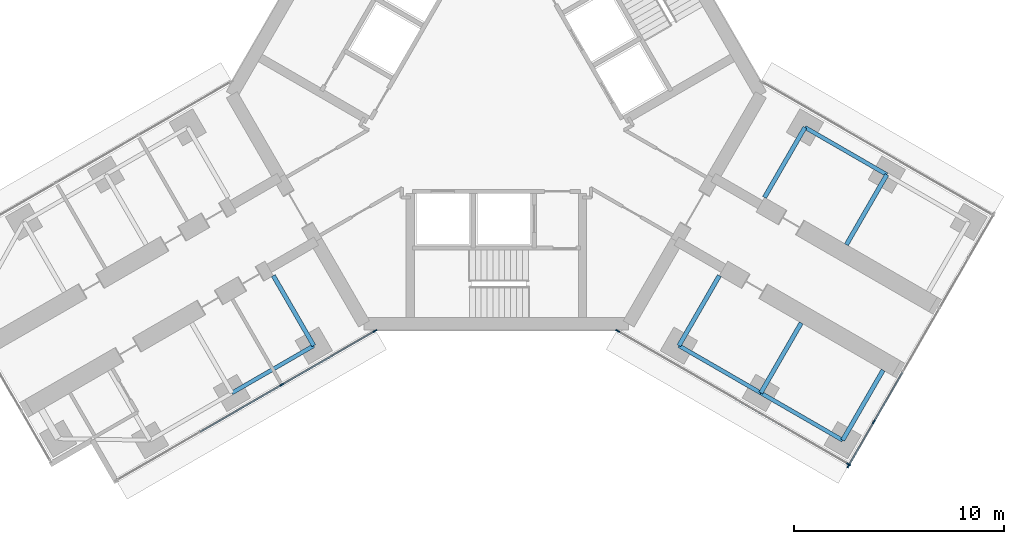
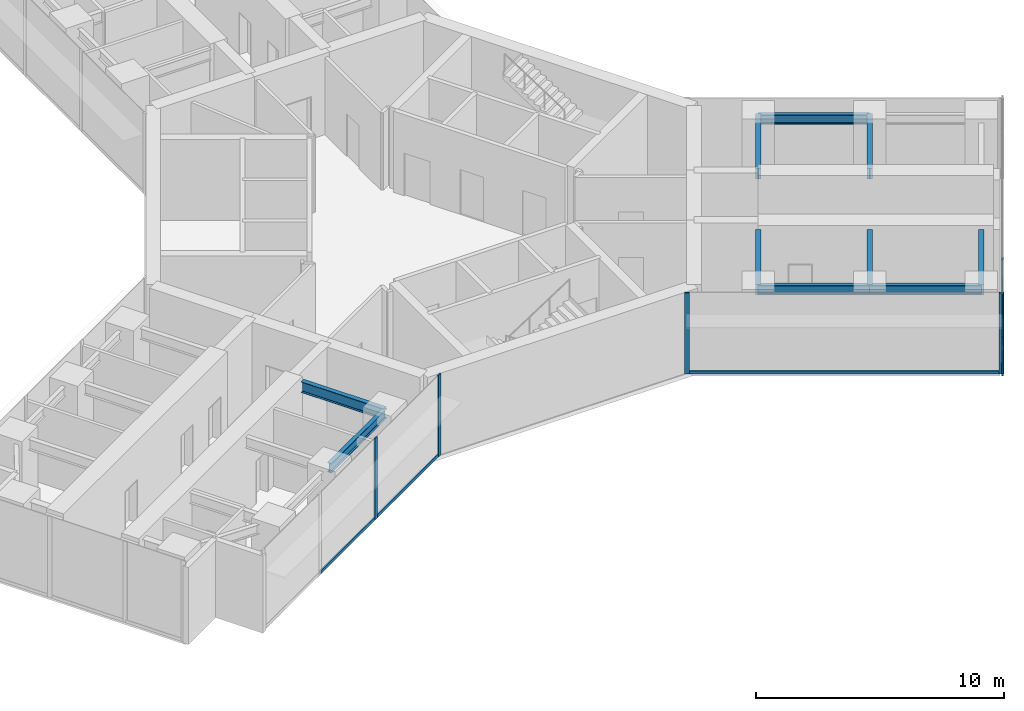
# One storey, part 8 of 22: 11 members, 10 beams, 3 elements without a shape of their own.
"""IFC4 building model written with IfcOpenShell, lengths in metres."""

from ifc_helpers import new_model, si_unit, direction, frame, origin, origin_2d, place, context, subcontext, project, spatial, rectangle, i_section, extrude, material, material_profile, profile_set, type_object, element, aggregate, save


model = new_model("IFC4")

# Units and contexts
model_context = context("Model", 3, precision=1e-05, world=origin(), true_north=direction((0.0, 1.0)))
body_context = subcontext(model_context, "Body", "Model", "MODEL_VIEW")
ifc_project = project(units=[si_unit("LENGTHUNIT", "METRE"), si_unit("AREAUNIT", "SQUARE_METRE"), si_unit("VOLUMEUNIT", "CUBIC_METRE"), si_unit("PLANEANGLEUNIT", "RADIAN"), si_unit("MASSUNIT", "GRAM", prefix="KILO")], contexts=[model_context])

# Site, building, storey
site_placement = place(None, origin())
site = spatial("IfcSite", under=ifc_project, at=site_placement, CompositionType="ELEMENT")
building_placement = place(site_placement, origin())
building = spatial("IfcBuilding", under=site, at=building_placement, Name="Upepo Twin Towers", CompositionType="ELEMENT")
storey_placement = place(building_placement, frame((0.0, 0.0, 129.5)))
storey = spatial("IfcBuildingStorey", under=building, at=storey_placement, Name="L31", CompositionType="ELEMENT", Elevation=129.5)

# Beams
ifc_material_1 = material(Name="Steel S355", Category="steel")
ifc_material_profile_1 = material_profile(ifc_material_1, i_section(OverallWidth=0.1904296875, OverallDepth=0.45703125, WebThickness=0.009033203125, FlangeThickness=0.014404296875, FilletRadius=0.01025390625, at=origin_2d()), Name="UB 457x191x74")
ifc_profile_set_1 = profile_set([ifc_material_profile_1], Name="Steel S355")
beam_type_1 = type_object("IfcBeamType", Name="Beam UB 457x191x74", PredefinedType="BEAM", material=ifc_profile_set_1)
for number, where, z_axis, x_axis, name in (
    (1, (49.80859375, -29.946044921875, 3.571533203125), (-0.866017533419, -0.500013631625, 0.0), (0.500013631625, -0.866017533419, 0.0), "T2 edge beam BL 13.5-18.0"),
    (2, (73.19140625, -19.553955078125, 3.571533203125), (0.866017533419, -0.500013631625, 0.0), (0.500013631625, 0.866017533419, 0.0), "T2 edge beam CL 13.5-18.0"),
    (3, (67.19140625, -29.946044921875, 3.571533203125), (0.866017533419, -0.500013631625, 0.0), (0.500013631625, 0.866017533419, 0.0), "T2 edge beam CR 13.5-18.0"),
):
    element("IfcBeam", number, at=place(storey_placement, frame(where, z_axis=z_axis, x_axis=x_axis)), inside=storey, type_object=beam_type_1, Name=name, PredefinedType="BEAM", context=body_context, shape_type="SweptSolid", body=[
        extrude(i_section(OverallWidth=0.1904296875, OverallDepth=0.45703125, WebThickness=0.009033203125, FlangeThickness=0.014404296875, FilletRadius=0.01025390625, at=origin_2d()), origin(), (0.0, 0.0, 1.0), 4.499755859375),
    ])
beam_1_placement = place(storey_placement, frame((71.08837890625, -32.196044921875, 3.571533203125), z_axis=(0.866031096941, -0.499990139034, 0.0), x_axis=(0.499990139034, 0.866031096941, 0.0)))
element("IfcBeam", 4, at=beam_1_placement, inside=storey, type_object=beam_type_1, Name="T2 edge beam CR 18.0-22.5", PredefinedType="BEAM", context=body_context, shape_type="SweptSolid", body=[
    extrude(i_section(OverallWidth=0.1904296875, OverallDepth=0.45703125, WebThickness=0.009033203125, FlangeThickness=0.014404296875, FilletRadius=0.01025390625, at=origin_2d()), origin(), (0.0, 0.0, 1.0), 4.5),
])
ifc_material_2 = material(Name="Steel S355", Category="steel")
ifc_material_profile_2 = material_profile(ifc_material_2, i_section(OverallWidth=0.209228515625, OverallDepth=0.533203125, WebThickness=0.010009765625, FlangeThickness=0.015625, FilletRadius=0.0126953125, at=origin_2d()), Name="UB 533x210x92")
ifc_profile_set_2 = profile_set([ifc_material_profile_2], Name="Steel S355")
beam_type_2 = type_object("IfcBeamType", Name="Beam UB 533x210x92", PredefinedType="BEAM", material=ifc_profile_set_2)
for number, where, z_axis, x_axis, name in (
    (5, (49.80859375, -29.946044921875, 3.533447265625), (-0.500033517596, 0.866006051527, 0.0), (-0.866006051527, -0.500033517596, 0.0), "T2 girder BL at 13.5"),
    (6, (73.19140625, -19.553955078125, 3.533447265625), (-0.500033517596, -0.866006051527, 0.0), (0.866006051527, -0.500033517596, 0.0), "T2 girder CL at 13.5"),
):
    element("IfcBeam", number, at=place(storey_placement, frame(where, z_axis=z_axis, x_axis=x_axis)), inside=storey, type_object=beam_type_2, Name=name, PredefinedType="BEAM", context=body_context, shape_type="SweptSolid", body=[
        extrude(i_section(OverallWidth=0.209228515625, OverallDepth=0.533203125, WebThickness=0.010009765625, FlangeThickness=0.015625, FilletRadius=0.0126953125, at=origin_2d()), origin(), (0.0, 0.0, 1.0), 3.849853515625),
    ])
beam_2_placement = place(storey_placement, frame((77.08837890625, -21.803955078125, 3.533447265625), z_axis=(-0.499985955615, -0.866033512162, 0.0), x_axis=(0.866033512162, -0.499985955615, 0.0)))
element("IfcBeam", 7, at=beam_2_placement, inside=storey, type_object=beam_type_2, Name="T2 girder CL at 18.0", PredefinedType="BEAM", context=body_context, shape_type="SweptSolid", body=[
    extrude(i_section(OverallWidth=0.209228515625, OverallDepth=0.533203125, WebThickness=0.010009765625, FlangeThickness=0.015625, FilletRadius=0.0126953125, at=origin_2d()), origin(), (0.0, 0.0, 1.0), 3.849609375),
])
for number, where, z_axis, x_axis, name in (
    (8, (67.19140625, -29.946044921875, 3.533447265625), (0.500033517596, 0.866006051527, 0.0), (-0.866006051527, 0.500033517596, 0.0), "T2 girder CR at 13.5"),
    (9, (71.08837890625, -32.196044921875, 3.533447265625), (0.500033517596, 0.866006051527, 0.0), (-0.866006051527, 0.500033517596, 0.0), "T2 girder CR at 18.0"),
    (10, (74.985595703125, -34.446044921875, 3.533447265625), (0.500033517596, 0.866006051527, 0.0), (-0.866006051527, 0.500033517596, 0.0), "T2 girder CR at 22.5"),
):
    element("IfcBeam", number, at=place(storey_placement, frame(where, z_axis=z_axis, x_axis=x_axis)), inside=storey, type_object=beam_type_2, Name=name, PredefinedType="BEAM", context=body_context, shape_type="SweptSolid", body=[
        extrude(i_section(OverallWidth=0.209228515625, OverallDepth=0.533203125, WebThickness=0.010009765625, FlangeThickness=0.015625, FilletRadius=0.0126953125, at=origin_2d()), origin(), (0.0, 0.0, 1.0), 3.849853515625),
    ])

# Curtain wall, members
ifc_material_3 = material(Name="Aluminium and fritted glass", Category="aluminium")
curtain_wall_type = type_object("IfcCurtainWallType", Name="Tower curtain wall TW2, fritted glass", PredefinedType="NOTDEFINED", material=ifc_material_3)
curtain_wall_1_placement = place(storey_placement, origin())
curtain_wall_1 = element("IfcCurtainWall", 11, at=curtain_wall_1_placement, inside=storey, type_object=curtain_wall_type, Name="T2 L31 wing B flank L curtain wall", PredefinedType="NOTDEFINED")
ifc_material_4 = material(Name="Aluminium mullion", Category="aluminium")
ifc_material_profile_3 = material_profile(ifc_material_4, rectangle(XDim=0.06494140625, YDim=0.199951171875, at=origin_2d()), Name="MULLION 65x200")
ifc_profile_set_3 = profile_set([ifc_material_profile_3], Name="Aluminium mullion")
member_type_1 = type_object("IfcMemberType", Name="Mullion 65x200 TW2", PredefinedType="MULLION", material=ifc_profile_set_3)
member_1_placement = place(storey_placement, frame((52.72802734375, -29.2421875, 0.0), z_axis=(0.0, 0.0, 1.0), x_axis=(0.500000010308, -0.866025397833, 0.0)))
member_1 = element("IfcMember", 12, at=member_1_placement, type_object=member_type_1, Name="T2 L31 wing B flank L curtain wall mullion 1", PredefinedType="MULLION", context=body_context, shape_type="SweptSolid", body=[
    extrude(rectangle(XDim=0.06494140625, YDim=0.199951171875, at=origin_2d()), origin(), (0.0, 0.0, 1.0), 4.0),
])
member_2_placement = place(storey_placement, frame((48.28515625, -31.807373046875, 0.0), z_axis=(0.0, 0.0, 1.0), x_axis=(0.500000010308, -0.866025397833, 0.0)))
member_2 = element("IfcMember", 13, at=member_2_placement, type_object=member_type_1, Name="T2 L31 wing B flank L curtain wall mullion 2", PredefinedType="MULLION", context=body_context, shape_type="SweptSolid", body=[
    extrude(rectangle(XDim=0.06494140625, YDim=0.199951171875, at=origin_2d()), origin(), (0.0, 0.0, 1.0), 4.0),
])

curtain_wall_2_placement = place(storey_placement, origin())
curtain_wall_2 = element("IfcCurtainWall", 14, at=curtain_wall_2_placement, inside=storey, type_object=curtain_wall_type, Name="T2 L31 wing C flank R curtain wall", PredefinedType="NOTDEFINED")
member_3_placement = place(storey_placement, frame((75.2685546875, -35.591064453125, 0.0), z_axis=(0.0, 0.0, 1.0), x_axis=(-0.50000000792, -0.866025399212, 0.0)))
member_3 = element("IfcMember", 15, at=member_3_placement, type_object=member_type_1, Name="T2 L31 wing C flank R curtain wall mullion 1", PredefinedType="MULLION", context=body_context, shape_type="SweptSolid", body=[
    extrude(rectangle(XDim=0.06494140625, YDim=0.199951171875, at=origin_2d()), origin(), (0.0, 0.0, 1.0), 4.0),
])
member_4_placement = place(storey_placement, frame((64.27197265625, -29.2421875, 0.0), z_axis=(0.0, 0.0, 1.0), x_axis=(-0.50000000792, -0.866025399212, 0.0)))
member_4 = element("IfcMember", 16, at=member_4_placement, type_object=member_type_1, Name="T2 L31 wing C flank R curtain wall mullion 2", PredefinedType="MULLION", context=body_context, shape_type="SweptSolid", body=[
    extrude(rectangle(XDim=0.06494140625, YDim=0.199951171875, at=origin_2d()), origin(), (0.0, 0.0, 1.0), 4.0),
])

curtain_wall_3_placement = place(storey_placement, origin())
curtain_wall_3 = element("IfcCurtainWall", 17, at=curtain_wall_3_placement, inside=storey, type_object=curtain_wall_type, Name="T2 L31 wing C nose curtain wall", PredefinedType="NOTDEFINED")
member_5_placement = place(storey_placement, frame((75.262939453125, -35.665771484375, 0.0), z_axis=(0.0, 0.0, 1.0), x_axis=(-0.866025419745, 0.499999972355, 0.0)))
member_5 = element("IfcMember", 18, at=member_5_placement, type_object=member_type_1, Name="T2 L31 wing C nose curtain wall mullion 1", PredefinedType="MULLION", context=body_context, shape_type="SweptSolid", body=[
    extrude(rectangle(XDim=0.06494140625, YDim=0.199951171875, at=origin_2d()), origin(), (0.0, 0.0, 1.0), 4.0),
])
member_6_placement = place(storey_placement, frame((76.4716796875, -33.572021484375, 0.0), z_axis=(0.0, 0.0, 1.0), x_axis=(-0.866025419745, 0.499999972355, 0.0)))
member_6 = element("IfcMember", 19, at=member_6_placement, type_object=member_type_1, Name="T2 L31 wing C nose curtain wall mullion 2", PredefinedType="MULLION", context=body_context, shape_type="SweptSolid", body=[
    extrude(rectangle(XDim=0.06494140625, YDim=0.199951171875, at=origin_2d()), origin(), (0.0, 0.0, 1.0), 4.0),
])

# Member
ifc_material_5 = material(Name="Aluminium transom", Category="aluminium")
ifc_material_profile_4 = material_profile(ifc_material_5, rectangle(XDim=0.06494140625, YDim=0.14990234375, at=origin_2d()), Name="TRANSOM 65x150")
ifc_profile_set_4 = profile_set([ifc_material_profile_4], Name="Aluminium transom")
member_type_2 = type_object("IfcMemberType", Name="Transom 65x150 TW2", PredefinedType="USERDEFINED", material=ifc_profile_set_4)
member_7_placement = place(storey_placement, frame((52.699951171875, -29.25830078125, 0.074951171875), z_axis=(-0.866021848223, -0.500006158363, 0.0), x_axis=(0.500006158363, -0.866021848223, 0.0)))
member_7 = element("IfcMember", 20, at=member_7_placement, type_object=member_type_2, Name="T2 L31 wing B flank L curtain wall transom 1", ObjectType="TRANSOM", PredefinedType="USERDEFINED", context=body_context, shape_type="SweptSolid", body=[
    extrude(rectangle(XDim=0.06494140625, YDim=0.14990234375, at=origin_2d()), origin(), (0.0, 0.0, 1.0), 5.0654296875),
])

member_8_placement = place(storey_placement, frame((48.2568359375, -31.823486328125, 0.074951171875), z_axis=(-0.866022410713, -0.500005184116, 0.0), x_axis=(0.500005184116, -0.866022410713, 0.0)))
member_8 = element("IfcMember", 21, at=member_8_placement, type_object=member_type_2, Name="T2 L31 wing B flank L curtain wall transom 2", ObjectType="TRANSOM", PredefinedType="USERDEFINED", context=body_context, shape_type="SweptSolid", body=[
    extrude(rectangle(XDim=0.06494140625, YDim=0.14990234375, at=origin_2d()), origin(), (0.0, 0.0, 1.0), 4.43505859375),
])

aggregate(curtain_wall_1, [member_1, member_2, member_7, member_8])

member_9_placement = place(storey_placement, frame((75.240478515625, -35.57470703125, 0.074951171875), z_axis=(-0.866027247007, 0.499996807431, 0.0), x_axis=(-0.499996807431, -0.866027247007, 0.0)))
member_9 = element("IfcMember", 22, at=member_9_placement, type_object=member_type_2, Name="T2 L31 wing C flank R curtain wall transom 1", ObjectType="TRANSOM", PredefinedType="USERDEFINED", context=body_context, shape_type="SweptSolid", body=[
    extrude(rectangle(XDim=0.06494140625, YDim=0.14990234375, at=origin_2d()), origin(), (0.0, 0.0, 1.0), 12.6328125),
])

aggregate(curtain_wall_2, [member_3, member_4, member_9])

member_10_placement = place(storey_placement, frame((75.279296875, -35.6376953125, 0.074951171875), z_axis=(0.499923095048, 0.866069800327, 0.0), x_axis=(-0.866069800327, 0.499923095048, 0.0)))
member_10 = element("IfcMember", 23, at=member_10_placement, type_object=member_type_2, Name="T2 L31 wing C nose curtain wall transom 1", ObjectType="TRANSOM", PredefinedType="USERDEFINED", context=body_context, shape_type="SweptSolid", body=[
    extrude(rectangle(XDim=0.06494140625, YDim=0.14990234375, at=origin_2d()), origin(), (0.0, 0.0, 1.0), 2.352294921875),
])

member_11_placement = place(storey_placement, frame((76.488037109375, -33.5439453125, 0.074951171875), z_axis=(0.49995335277, 0.8660523339, 0.0), x_axis=(-0.8660523339, 0.49995335277, 0.0)))
member_11 = element("IfcMember", 24, at=member_11_placement, type_object=member_type_2, Name="T2 L31 wing C nose curtain wall transom 2", ObjectType="TRANSOM", PredefinedType="USERDEFINED", context=body_context, shape_type="SweptSolid", body=[
    extrude(rectangle(XDim=0.06494140625, YDim=0.14990234375, at=origin_2d()), origin(), (0.0, 0.0, 1.0), 2.684814453125),
])

aggregate(curtain_wall_3, [member_5, member_6, member_10, member_11])

save(model, "model.ifc")
